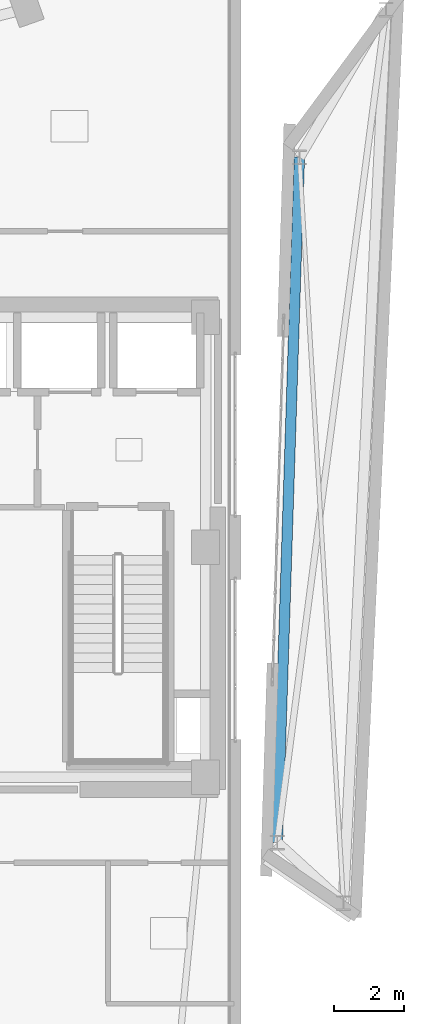
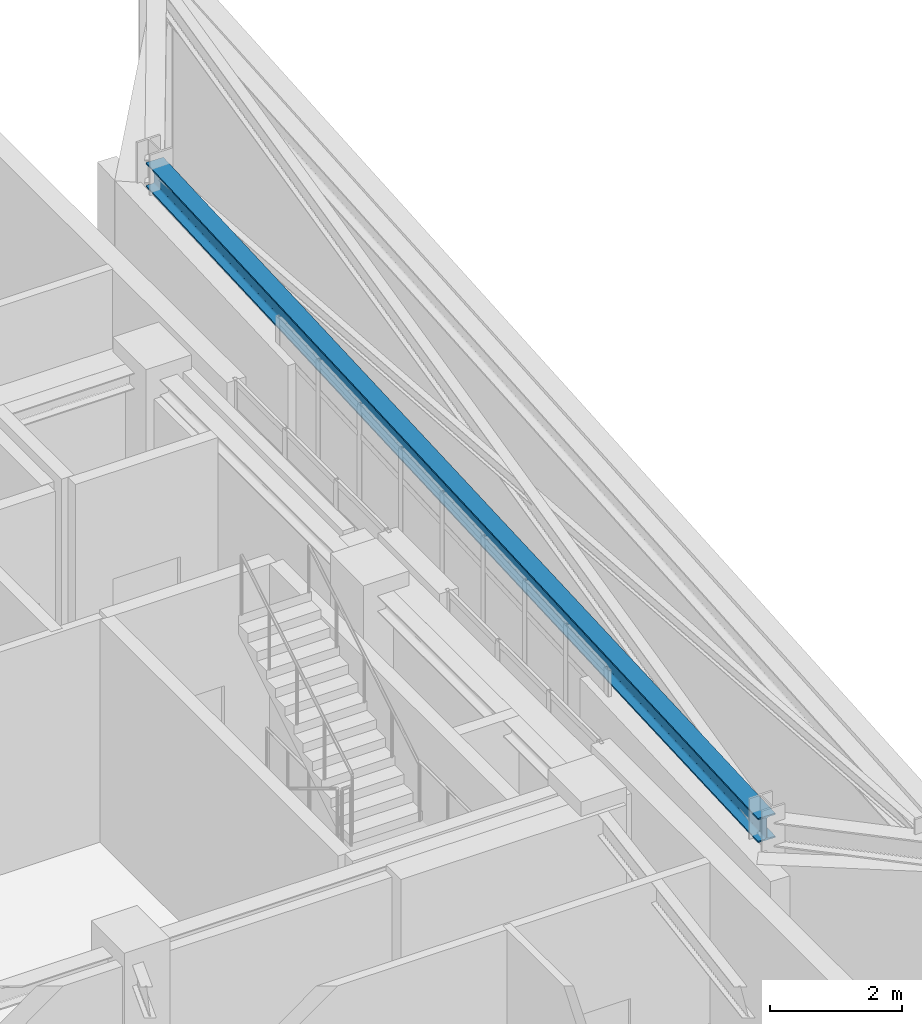
# One storey, part 8 of 19: 1 beam.
"""IFC4 building model written with IfcOpenShell, lengths in metres."""

from ifc_helpers import new_model, si_unit, direction, frame, origin, origin_2d, place, context, subcontext, project, spatial, i_section, extrude, material, material_profile, profile_set, type_object, element, save


model = new_model("IFC4")

# Units and contexts
model_context = context("Model", 3, precision=1e-05, world=origin(), true_north=direction((0.0, 1.0)))
body_context = subcontext(model_context, "Body", "Model", "MODEL_VIEW")
ifc_project = project(units=[si_unit("LENGTHUNIT", "METRE"), si_unit("AREAUNIT", "SQUARE_METRE"), si_unit("VOLUMEUNIT", "CUBIC_METRE"), si_unit("PLANEANGLEUNIT", "RADIAN"), si_unit("MASSUNIT", "GRAM", prefix="KILO")], contexts=[model_context])

# Site, building, storey
site_placement = place(None, origin())
site = spatial("IfcSite", under=ifc_project, at=site_placement, CompositionType="ELEMENT")
building_placement = place(site_placement, origin())
building = spatial("IfcBuilding", under=site, at=building_placement, Name="Ndelora Gate Hotel", CompositionType="ELEMENT")
storey_placement = place(building_placement, frame((0.0, 0.0, 290.39990234375)))
storey = spatial("IfcBuildingStorey", under=building, at=storey_placement, Name="L72", CompositionType="ELEMENT", Elevation=290.39990234375)

# Beam
ifc_material = material(Name="Steel S355", Category="steel")
ifc_material_profile = material_profile(ifc_material, i_section(OverallWidth=0.300048828125, OverallDepth=0.449951171875, WebThickness=0.013916015625, FlangeThickness=0.02587890625, FilletRadius=0.027099609375, at=origin_2d()), Name="HEB 450")
ifc_profile_set = profile_set([ifc_material_profile], Name="Steel S355")
beam_type = type_object("IfcBeamType", Name="BM-RING-450", PredefinedType="SPANDREL", material=ifc_profile_set)
beam_placement = place(storey_placement, frame((10.692138671875, 11.19091796875, 3.89501953125), z_axis=(-0.032242893106, -0.999480062755, 0.0), x_axis=(0.999480062755, -0.032242893106, 0.0)))
element("IfcBeam", 1, at=beam_placement, inside=storey, type_object=beam_type, Name="L72 structural beam RB-5", PredefinedType="SPANDREL", context=body_context, shape_type="SweptSolid", body=[
    extrude(i_section(OverallWidth=0.300048828125, OverallDepth=0.449951171875, WebThickness=0.013916015625, FlangeThickness=0.02587890625, FilletRadius=0.027099609375, at=origin_2d()), origin(), (0.0, 0.0, 1.0), 19.679443359375),
])

save(model, "model.ifc")
